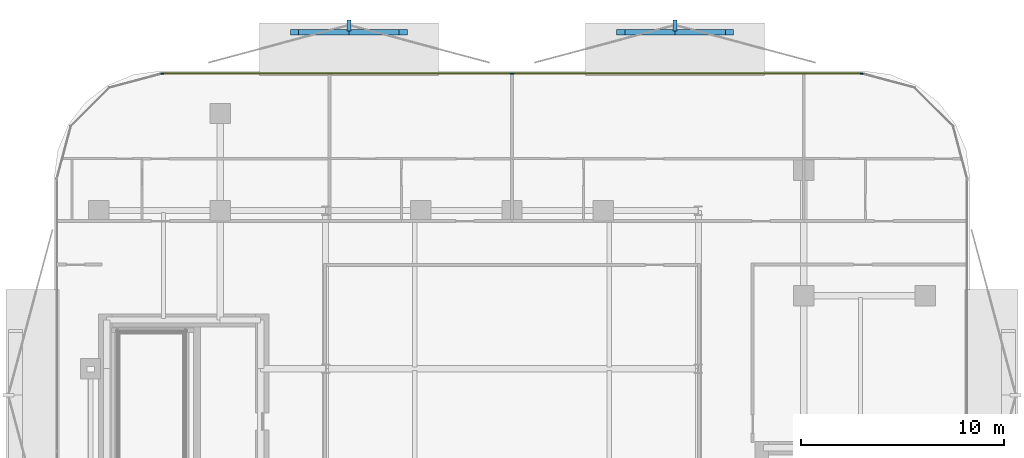
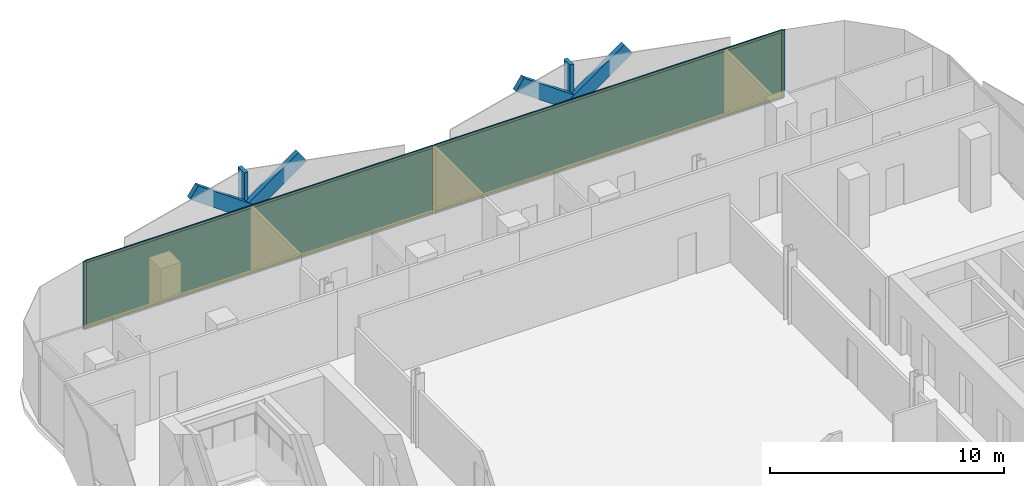
# One storey, part 12 of 17: 13 members, 2 plates, 1 curtain wall.
"""IFC4 building model written with IfcOpenShell, lengths in metres."""

from ifc_helpers import new_model, si_unit, direction, frame, frame_2d, origin, origin_2d, place, context, subcontext, project, spatial, rectangle, extrude, material, layer, layer_set, material_profile, profile_set, type_object, element, aggregate, save


model = new_model("IFC4")

# Units and contexts
model_context = context("Model", 3, precision=1e-05, world=origin(), true_north=direction((0.0, 1.0)))
body_context = subcontext(model_context, "Body", "Model", "MODEL_VIEW")
ifc_project = project(units=[si_unit("LENGTHUNIT", "METRE"), si_unit("AREAUNIT", "SQUARE_METRE"), si_unit("VOLUMEUNIT", "CUBIC_METRE"), si_unit("PLANEANGLEUNIT", "RADIAN"), si_unit("MASSUNIT", "GRAM", prefix="KILO")], contexts=[model_context])

# Member
ifc_material_1 = material(Name="Anodised Bronze Aluminium 6063-T6", Category="aluminium")
ifc_material_profile_1 = material_profile(ifc_material_1, rectangle(XDim=0.260009765625, YDim=0.699951171875, at=origin_2d()))
ifc_profile_set_1 = profile_set([ifc_material_profile_1], Name="Anodised Bronze Aluminium 6063-T6")
member_type_1 = type_object("IfcMemberType", Name="Bronze Diamond Solar-Screen Lattice Rib BDL-700", PredefinedType="MULLION", material=ifc_profile_set_1)
site_placement = place(None, origin())
building_placement = place(site_placement, origin())
storey_placement = place(building_placement, frame((0.0, 0.0, 199.199951171875)))
member_1_placement = place(storey_placement, frame((-10.727294921875, 27.39990234375, -0.1298828125), z_axis=(0.815973383103, 0.0, 0.578089472372), x_axis=(0.0, 1.0, 0.0)))
member_1 = element("IfcMember", 1, at=member_1_placement, type_object=member_type_1, Name="L46 Bronze Diamond Solar Screen Lattice Rib 309A", PredefinedType="MULLION", context=body_context, shape_type="SweptSolid", body=[
    extrude(rectangle(XDim=0.260009765625, YDim=0.699951171875, at=origin_2d()), origin(), (0.0, 0.0, 1.0), 6.573486328125),
])

member_2_placement = place(storey_placement, frame((-5.363525390625, 27.39990234375, -0.1298828125), z_axis=(-0.815973383103, 0.0, 0.578089472372), x_axis=(0.0, -1.0, 0.0)))
member_2 = element("IfcMember", 2, at=member_2_placement, type_object=member_type_1, Name="L46 Bronze Diamond Solar Screen Lattice Rib 309B", PredefinedType="MULLION", context=body_context, shape_type="SweptSolid", body=[
    extrude(rectangle(XDim=0.260009765625, YDim=0.699951171875, at=origin_2d()), origin(), (0.0, 0.0, 1.0), 6.573486328125),
])

member_3_placement = place(storey_placement, frame((5.363525390625, 27.39990234375, -0.1298828125), z_axis=(0.815973383103, 0.0, 0.578089472372), x_axis=(0.0, 1.0, 0.0)))
member_3 = element("IfcMember", 3, at=member_3_placement, type_object=member_type_1, Name="L46 Bronze Diamond Solar Screen Lattice Rib 310A", PredefinedType="MULLION", context=body_context, shape_type="SweptSolid", body=[
    extrude(rectangle(XDim=0.260009765625, YDim=0.699951171875, at=origin_2d()), origin(), (0.0, 0.0, 1.0), 6.573486328125),
])

member_4_placement = place(storey_placement, frame((10.727294921875, 27.39990234375, -0.1298828125), z_axis=(-0.815973383103, 0.0, 0.578089472372), x_axis=(0.0, -1.0, 0.0)))
member_4 = element("IfcMember", 4, at=member_4_placement, type_object=member_type_1, Name="L46 Bronze Diamond Solar Screen Lattice Rib 310B", PredefinedType="MULLION", context=body_context, shape_type="SweptSolid", body=[
    extrude(rectangle(XDim=0.260009765625, YDim=0.699951171875, at=origin_2d()), origin(), (0.0, 0.0, 1.0), 6.573486328125),
])

ifc_material_2 = material(Name="Anodised Bronze Aluminium 6063-T6", Category="aluminium")
ifc_material_profile_2 = material_profile(ifc_material_2, rectangle(XDim=0.179931640625, YDim=0.5400390625, at=origin_2d()))
ifc_profile_set_2 = profile_set([ifc_material_profile_2], Name="Anodised Bronze Aluminium 6063-T6")
member_type_2 = type_object("IfcMemberType", Name="Bronze Solar-Screen Vertical Fold Fin BSF-540", PredefinedType="MULLION", material=ifc_profile_set_2)
member_5_placement = place(storey_placement, frame((-8.04541015625, 27.739990234375, -0.1298828125), z_axis=(0.0, 0.0, 1.0), x_axis=(1.0, 0.0, 0.0)))
member_5 = element("IfcMember", 5, at=member_5_placement, type_object=member_type_2, Name="L46 Bronze Solar Screen Vertical Fin 309", PredefinedType="MULLION", context=body_context, shape_type="SweptSolid", body=[
    extrude(rectangle(XDim=0.179931640625, YDim=0.5400390625, at=origin_2d()), origin(), (0.0, 0.0, 1.0), 3.800048828125),
])

member_6_placement = place(storey_placement, frame((8.04541015625, 27.739990234375, -0.1298828125), z_axis=(0.0, 0.0, 1.0), x_axis=(1.0, 0.0, 0.0)))
member_6 = element("IfcMember", 6, at=member_6_placement, type_object=member_type_2, Name="L46 Bronze Solar Screen Vertical Fin 310", PredefinedType="MULLION", context=body_context, shape_type="SweptSolid", body=[
    extrude(rectangle(XDim=0.179931640625, YDim=0.5400390625, at=origin_2d()), origin(), (0.0, 0.0, 1.0), 3.800048828125),
])

ifc_material_3 = material(Name="Anodised Bronze Aluminium 6063-T6", Category="aluminium")
ifc_material_profile_3 = material_profile(ifc_material_3, rectangle(XDim=0.06005859375, YDim=0.1650390625, at=origin_2d()))
ifc_profile_set_3 = profile_set([ifc_material_profile_3], Name="Anodised Bronze Aluminium 6063-T6")
member_type_3 = type_object("IfcMemberType", Name="CW-Z3 Mullion 60x165", PredefinedType="MULLION", material=ifc_profile_set_3)
member_7_placement = place(storey_placement, frame((-17.2607421875, 25.360107421875, 0.0), z_axis=(0.0, 0.0, 1.0), x_axis=(0.0, 1.0, 0.0)))
member_7 = element("IfcMember", 7, at=member_7_placement, type_object=member_type_3, Name="CW-Z3 mullion 1", PredefinedType="MULLION", context=body_context, shape_type="SweptSolid", body=[
    extrude(rectangle(XDim=0.06005859375, YDim=0.1650390625, at=origin_2d()), origin(), (0.0, 0.0, 1.0), 3.5400390625),
])

member_8_placement = place(storey_placement, frame((0.0, 25.360107421875, 0.0), z_axis=(0.0, 0.0, 1.0), x_axis=(0.0, 1.0, 0.0)))
member_8 = element("IfcMember", 8, at=member_8_placement, type_object=member_type_3, Name="CW-Z3 mullion 2", PredefinedType="MULLION", context=body_context, shape_type="SweptSolid", body=[
    extrude(rectangle(XDim=0.06005859375, YDim=0.1650390625, at=origin_2d()), origin(), (0.0, 0.0, 1.0), 3.5400390625),
])

member_9_placement = place(storey_placement, frame((17.2607421875, 25.360107421875, 0.0), z_axis=(0.0, 0.0, 1.0), x_axis=(0.0, 1.0, 0.0)))
member_9 = element("IfcMember", 9, at=member_9_placement, type_object=member_type_3, Name="CW-Z3 mullion 3", PredefinedType="MULLION", context=body_context, shape_type="SweptSolid", body=[
    extrude(rectangle(XDim=0.06005859375, YDim=0.1650390625, at=origin_2d()), origin(), (0.0, 0.0, 1.0), 3.5400390625),
])

ifc_material_4 = material(Name="Anodised Bronze Aluminium 6063-T6", Category="aluminium")
ifc_material_profile_4 = material_profile(ifc_material_4, rectangle(XDim=0.06005859375, YDim=0.1298828125, at=origin_2d()))
ifc_profile_set_4 = profile_set([ifc_material_profile_4], Name="Anodised Bronze Aluminium 6063-T6")
member_type_4 = type_object("IfcMemberType", Name="CW-Z3 Transom 60x130", PredefinedType="USERDEFINED", material=ifc_profile_set_4)
member_10_placement = place(storey_placement, frame((-17.230712890625, 25.360107421875, 0.030029296875), z_axis=(1.0, 0.0, 0.0), x_axis=(0.0, 1.0, 0.0)))
member_10 = element("IfcMember", 10, at=member_10_placement, type_object=member_type_4, Name="CW-Z3 transom 1.1", ObjectType="TRANSOM", PredefinedType="USERDEFINED", context=body_context, shape_type="SweptSolid", body=[
    extrude(rectangle(XDim=0.06005859375, YDim=0.1298828125, at=origin_2d()), origin(), (0.0, 0.0, 1.0), 17.20068359375),
])

member_11_placement = place(storey_placement, frame((-17.230712890625, 25.360107421875, 3.510009765625), z_axis=(1.0, 0.0, 0.0), x_axis=(0.0, 1.0, 0.0)))
member_11 = element("IfcMember", 11, at=member_11_placement, type_object=member_type_4, Name="CW-Z3 transom 1.2", ObjectType="TRANSOM", PredefinedType="USERDEFINED", context=body_context, shape_type="SweptSolid", body=[
    extrude(rectangle(XDim=0.06005859375, YDim=0.1298828125, at=origin_2d()), origin(), (0.0, 0.0, 1.0), 17.20068359375),
])

member_12_placement = place(storey_placement, frame((0.030029296875, 25.360107421875, 0.030029296875), z_axis=(1.0, 0.0, 0.0), x_axis=(0.0, 1.0, 0.0)))
member_12 = element("IfcMember", 12, at=member_12_placement, type_object=member_type_4, Name="CW-Z3 transom 2.1", ObjectType="TRANSOM", PredefinedType="USERDEFINED", context=body_context, shape_type="SweptSolid", body=[
    extrude(rectangle(XDim=0.06005859375, YDim=0.1298828125, at=origin_2d()), origin(), (0.0, 0.0, 1.0), 17.20068359375),
])

member_13_placement = place(storey_placement, frame((0.030029296875, 25.360107421875, 3.510009765625), z_axis=(1.0, 0.0, 0.0), x_axis=(0.0, 1.0, 0.0)))
member_13 = element("IfcMember", 13, at=member_13_placement, type_object=member_type_4, Name="CW-Z3 transom 2.2", ObjectType="TRANSOM", PredefinedType="USERDEFINED", context=body_context, shape_type="SweptSolid", body=[
    extrude(rectangle(XDim=0.06005859375, YDim=0.1298828125, at=origin_2d()), origin(), (0.0, 0.0, 1.0), 17.20068359375),
])

# Plate
ifc_material_5 = material(Name="Low-E Solar Control Laminated Glass", Category="glass")
ifc_layer_1 = layer(ifc_material_5, 0.030029296875, Name="Low-E Solar Control Laminated Glass")
ifc_layer_set_1 = layer_set([ifc_layer_1], Name="Low-E Solar Control Laminated Glass")
plate_type = type_object("IfcPlateType", Name="CW-Z3 Low-E Double Glazed Panel 30mm", PredefinedType="CURTAIN_PANEL", material=ifc_layer_set_1)
plate_1_placement = place(storey_placement, frame((-8.63037109375, 25.360107421875, 0.06005859375), z_axis=(0.0, 0.0, 1.0), x_axis=(1.0, 0.0, 0.0)))
plate_1 = element("IfcPlate", 14, at=plate_1_placement, type_object=plate_type, Name="CW-Z3 panel 1.1", PredefinedType="CURTAIN_PANEL", context=body_context, shape_type="SweptSolid", body=[
    extrude(rectangle(XDim=17.20068359375, YDim=0.030029296875, at=origin_2d()), origin(), (0.0, 0.0, 1.0), 3.419921875),
])

plate_2_placement = place(storey_placement, frame((8.63037109375, 25.360107421875, 0.06005859375), z_axis=(0.0, 0.0, 1.0), x_axis=(1.0, 0.0, 0.0)))
plate_2 = element("IfcPlate", 15, at=plate_2_placement, type_object=plate_type, Name="CW-Z3 panel 2.1", PredefinedType="CURTAIN_PANEL", context=body_context, shape_type="SweptSolid", body=[
    extrude(rectangle(XDim=17.20068359375, YDim=0.030029296875, at=origin_2d()), origin(), (0.0, 0.0, 1.0), 3.419921875),
])

# Site, building, storey
site = spatial("IfcSite", under=ifc_project, at=site_placement, CompositionType="ELEMENT")
building = spatial("IfcBuilding", under=site, at=building_placement, Name="Khairoan Windgate Tower", CompositionType="ELEMENT")
storey = spatial("IfcBuildingStorey", under=building, at=storey_placement, Name="L46", CompositionType="ELEMENT", Elevation=199.199951171875)

# Curtain wall
ifc_material_6 = material(Name="Anodised Bronze Aluminium 6063-T6", Category="aluminium")
ifc_layer_2 = layer(ifc_material_6, 0.1650390625, Name="Anodised Bronze Aluminium 6063-T6")
ifc_layer_set_2 = layer_set([ifc_layer_2], Name="Anodised Bronze Aluminium 6063-T6")
curtain_wall_type = type_object("IfcCurtainWallType", Name="Luxury Hotel Acoustic Curtain Wall CW-Z3", PredefinedType="NOTDEFINED", material=ifc_layer_set_2)
curtain_wall_placement = place(storey_placement, frame((-17.290771484375, 25.360107421875, 0.0), z_axis=(0.0, 0.0, 1.0), x_axis=(1.0, 0.0, 0.0)))
curtain_wall = element("IfcCurtainWall", 16, at=curtain_wall_placement, inside=storey, type_object=curtain_wall_type, Name="L46 Unitised Curtain Wall 9", PredefinedType="NOTDEFINED", context=body_context, shape_type="SweptSolid", body=[
    extrude(rectangle(XDim=34.58154296875, YDim=0.010009765625, at=frame_2d((17.290771484375, 0.0))), origin(), (0.0, 0.0, 1.0), 3.5400390625),
])

aggregate(curtain_wall, [member_7, member_8, member_9, member_10, member_11, plate_1, member_12, member_13, plate_2, member_1, member_2, member_5, member_3, member_4, member_6])

save(model, "model.ifc")
